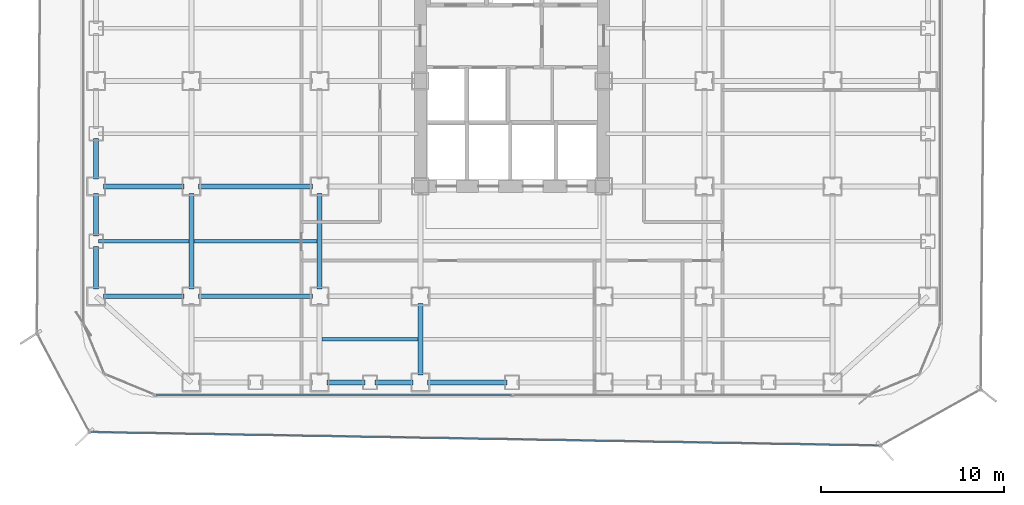
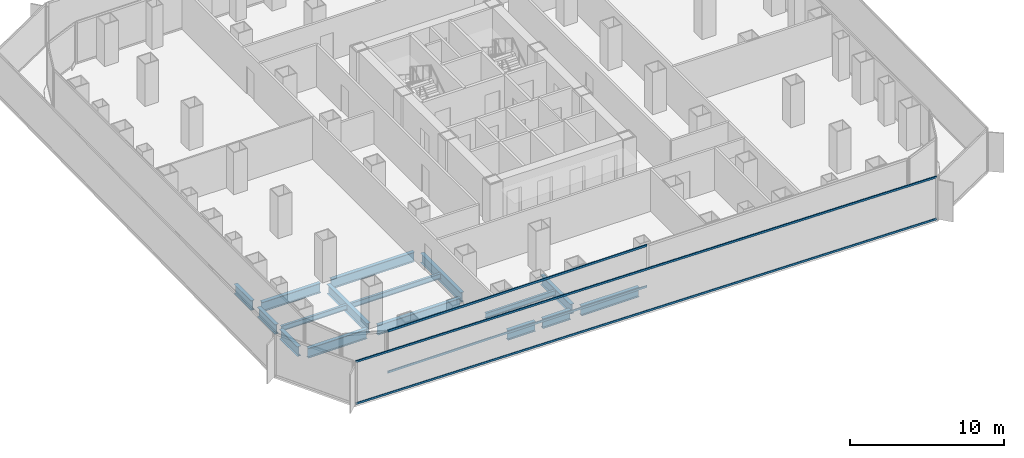
# One storey, part 3 of 21: 16 beams, 4 members, 2 elements without a shape of their own.
"""IFC4 building model written with IfcOpenShell, lengths in metres."""

from ifc_helpers import new_model, si_unit, direction, frame, origin, origin_2d, place, context, subcontext, project, spatial, hollow_rectangle, i_section, extrude, source, transform, mapped, material, layer, layer_set, material_profile, profile_set, type_object, element, aggregate, save


model = new_model("IFC4")

# Units and contexts
model_context = context("Model", 3, precision=1e-05, world=origin(), true_north=direction((0.0, 1.0)))
body_context = subcontext(model_context, "Body", "Model", "MODEL_VIEW")
ifc_project = project(units=[si_unit("LENGTHUNIT", "METRE"), si_unit("AREAUNIT", "SQUARE_METRE"), si_unit("VOLUMEUNIT", "CUBIC_METRE"), si_unit("PLANEANGLEUNIT", "RADIAN"), si_unit("MASSUNIT", "GRAM", prefix="KILO")], contexts=[model_context])

# Site, building, storey
site_placement = place(None, origin())
site = spatial("IfcSite", under=ifc_project, at=site_placement, CompositionType="ELEMENT")
building_placement = place(site_placement, origin())
building = spatial("IfcBuilding", under=site, at=building_placement, Name="Kolveth Station Tower", CompositionType="ELEMENT")
storey_placement = place(building_placement, frame((0.0, 0.0, 58.5)))
storey = spatial("IfcBuildingStorey", under=building, at=storey_placement, Name="L15", CompositionType="ELEMENT", Elevation=58.5)

# Beams
ifc_material_1 = material(Name="Steel S355", Category="steel")
ifc_material_profile_1 = material_profile(ifc_material_1, i_section(OverallWidth=0.26904296875, OverallDepth=0.77490234375, WebThickness=0.01708984375, FlangeThickness=0.0283203125, at=origin_2d()), Name="W760x220")
ifc_profile_set_1 = profile_set([ifc_material_profile_1], Name="Steel S355")
beam_type_1 = type_object("IfcBeamType", Name="Beam_SP1", PredefinedType="SPANDREL", material=ifc_profile_set_1)
shared_shape_1 = source(origin(), body_context, "Body", "SweptSolid", [
    extrude(i_section(OverallWidth=0.26904296875, OverallDepth=0.77490234375, WebThickness=0.01708984375, FlangeThickness=0.0283203125, at=origin_2d()), origin(), (0.0, 0.0, 1.0), 2.070068359375),
])
for number, where, z_axis, x_axis, name in (
    (1, (13.39990234375, 0.800048828125, -0.66748046875), (1.0, 0.0, 0.0), (0.0, 1.0, 0.0), "L15 Perimeter Spandrel BM-L15-PS-3"),
    (2, (16.030029296875, 0.800048828125, -0.66748046875), (1.0, 0.0, 0.0), (0.0, 1.0, 0.0), "L15 Perimeter Spandrel BM-L15-PS-4"),
):
    element("IfcBeam", number, at=place(storey_placement, frame(where, z_axis=z_axis, x_axis=x_axis)), inside=storey, type_object=beam_type_1, Name=name, PredefinedType="SPANDREL", context=body_context, shape_type="MappedRepresentation", body=[
        mapped(shared_shape_1, transform((0.0, 0.0, 0.0), x_axis=(1.0, 0.0, 0.0), y_axis=(0.0, 1.0, 0.0), z_axis=(0.0, 0.0, 1.0), scale=1.0)),
    ])
shared_shape_2 = source(origin(), body_context, "Body", "SweptSolid", [
    extrude(i_section(OverallWidth=0.26904296875, OverallDepth=0.77490234375, WebThickness=0.01708984375, FlangeThickness=0.0283203125, at=origin_2d()), origin(), (0.0, 0.0, 1.0), 4.320068359375),
])
beam_1_placement = place(storey_placement, frame((18.89990234375, 0.800048828125, -0.66748046875), z_axis=(1.0, 0.0, 0.0), x_axis=(0.0, 1.0, 0.0)))
element("IfcBeam", 3, at=beam_1_placement, inside=storey, type_object=beam_type_1, Name="L15 Perimeter Spandrel BM-L15-PS-5", PredefinedType="SPANDREL", context=body_context, shape_type="MappedRepresentation", body=[
    mapped(shared_shape_2, transform((0.0, 0.0, 0.0), x_axis=(1.0, 0.0, 0.0), y_axis=(0.0, 1.0, 0.0), z_axis=(0.0, 0.0, 1.0), scale=1.0)),
])
shared_shape_3 = source(origin(), body_context, "Body", "SweptSolid", [
    extrude(i_section(OverallWidth=0.26904296875, OverallDepth=0.77490234375, WebThickness=0.01708984375, FlangeThickness=0.0283203125, at=origin_2d()), origin(), (0.0, 0.0, 1.0), 2.320068359375),
])
for number, where, z_axis, x_axis, name in (
    (4, (0.800048828125, 5.89990234375, -0.66748046875), (0.0, 1.0, 0.0), (-1.0, 0.0, 0.0), "L15 Perimeter Spandrel BM-L15-PW-1"),
    (5, (0.800048828125, 8.780029296875, -0.66748046875), (0.0, 1.0, 0.0), (-1.0, 0.0, 0.0), "L15 Perimeter Spandrel BM-L15-PW-2"),
):
    element("IfcBeam", number, at=place(storey_placement, frame(where, z_axis=z_axis, x_axis=x_axis)), inside=storey, type_object=beam_type_1, Name=name, PredefinedType="SPANDREL", context=body_context, shape_type="MappedRepresentation", body=[
        mapped(shared_shape_3, transform((0.0, 0.0, 0.0), x_axis=(1.0, 0.0, 0.0), y_axis=(0.0, 1.0, 0.0), z_axis=(0.0, 0.0, 1.0), scale=1.0)),
    ])
shared_shape_4 = source(origin(), body_context, "Body", "SweptSolid", [
    extrude(i_section(OverallWidth=0.26904296875, OverallDepth=0.77490234375, WebThickness=0.01708984375, FlangeThickness=0.0283203125, at=origin_2d()), origin(), (0.0, 0.0, 1.0), 2.2001953125),
])
beam_2_placement = place(storey_placement, frame((0.800048828125, 11.89990234375, -0.66748046875), z_axis=(0.0, 1.0, 0.0), x_axis=(-1.0, 0.0, 0.0)))
element("IfcBeam", 6, at=beam_2_placement, inside=storey, type_object=beam_type_1, Name="L15 Perimeter Spandrel BM-L15-PW-3", PredefinedType="SPANDREL", context=body_context, shape_type="MappedRepresentation", body=[
    mapped(shared_shape_4, transform((0.0, 0.0, 0.0), x_axis=(1.0, 0.0, 0.0), y_axis=(0.0, 1.0, 0.0), z_axis=(0.0, 0.0, 1.0), scale=1.0)),
])
ifc_material_profile_2 = material_profile(ifc_material_1, i_section(OverallWidth=0.26708984375, OverallDepth=0.76611328125, WebThickness=0.014892578125, FlangeThickness=0.023681640625, at=origin_2d()), Name="W760x185")
ifc_profile_set_2 = profile_set([ifc_material_profile_2], Name="Steel S355")
beam_type_2 = type_object("IfcBeamType", Name="Beam_B3", PredefinedType="BEAM", material=ifc_profile_set_2)
shared_shape_5 = source(origin(), body_context, "Body", "SweptSolid", [
    extrude(i_section(OverallWidth=0.26708984375, OverallDepth=0.76611328125, WebThickness=0.014892578125, FlangeThickness=0.023681640625, at=origin_2d()), origin(), (0.0, 0.0, 1.0), 4.400146484375),
])
for number, where, z_axis, x_axis, name in (
    (7, (1.199951171875, 5.5, -0.6630859375), (1.0, 0.0, 0.0), (0.0, 1.0, 0.0), "L15 Primary Girder BM-L15-GY55-1"),
    (8, (1.199951171875, 11.5, -0.6630859375), (1.0, 0.0, 0.0), (0.0, 1.0, 0.0), "L15 Primary Girder BM-L15-GY115-1"),
):
    element("IfcBeam", number, at=place(storey_placement, frame(where, z_axis=z_axis, x_axis=x_axis)), inside=storey, type_object=beam_type_2, Name=name, PredefinedType="BEAM", context=body_context, shape_type="MappedRepresentation", body=[
        mapped(shared_shape_5, transform((0.0, 0.0, 0.0), x_axis=(1.0, 0.0, 0.0), y_axis=(0.0, 1.0, 0.0), z_axis=(0.0, 0.0, 1.0), scale=1.0)),
    ])
shared_shape_6 = source(origin(), body_context, "Body", "SweptSolid", [
    extrude(i_section(OverallWidth=0.26708984375, OverallDepth=0.76611328125, WebThickness=0.014892578125, FlangeThickness=0.023681640625, at=origin_2d()), origin(), (0.0, 0.0, 1.0), 6.2001953125),
])
for number, where, z_axis, x_axis, name in (
    (9, (6.39990234375, 5.5, -0.6630859375), (1.0, 0.0, 0.0), (0.0, 1.0, 0.0), "L15 Primary Girder BM-L15-GY55-2"),
    (10, (6.39990234375, 11.5, -0.6630859375), (1.0, 0.0, 0.0), (0.0, 1.0, 0.0), "L15 Primary Girder BM-L15-GY115-2"),
):
    element("IfcBeam", number, at=place(storey_placement, frame(where, z_axis=z_axis, x_axis=x_axis)), inside=storey, type_object=beam_type_2, Name=name, PredefinedType="BEAM", context=body_context, shape_type="MappedRepresentation", body=[
        mapped(shared_shape_6, transform((0.0, 0.0, 0.0), x_axis=(1.0, 0.0, 0.0), y_axis=(0.0, 1.0, 0.0), z_axis=(0.0, 0.0, 1.0), scale=1.0)),
    ])
shared_shape_7 = source(origin(), body_context, "Body", "SweptSolid", [
    extrude(i_section(OverallWidth=0.26708984375, OverallDepth=0.76611328125, WebThickness=0.014892578125, FlangeThickness=0.023681640625, at=origin_2d()), origin(), (0.0, 0.0, 1.0), 3.900146484375),
])
beam_3_placement = place(storey_placement, frame((18.5, 1.199951171875, -0.6630859375), z_axis=(0.0, 1.0, 0.0), x_axis=(-1.0, 0.0, 0.0)))
element("IfcBeam", 11, at=beam_3_placement, inside=storey, type_object=beam_type_2, Name="L15 Primary Girder BM-L15-GX185-1", PredefinedType="BEAM", context=body_context, shape_type="MappedRepresentation", body=[
    mapped(shared_shape_7, transform((0.0, 0.0, 0.0), x_axis=(1.0, 0.0, 0.0), y_axis=(0.0, 1.0, 0.0), z_axis=(0.0, 0.0, 1.0), scale=1.0)),
])
shared_shape_8 = source(origin(), body_context, "Body", "SweptSolid", [
    extrude(i_section(OverallWidth=0.26708984375, OverallDepth=0.76611328125, WebThickness=0.014892578125, FlangeThickness=0.023681640625, at=origin_2d()), origin(), (0.0, 0.0, 1.0), 5.2001953125),
])
for number, where, z_axis, x_axis, name in (
    (12, (6.0, 5.89990234375, -0.6630859375), (0.0, 1.0, 0.0), (-1.0, 0.0, 0.0), "L15 Primary Girder BM-L15-GX60-2"),
    (13, (13.0, 5.89990234375, -0.6630859375), (0.0, 1.0, 0.0), (-1.0, 0.0, 0.0), "L15 Primary Girder BM-L15-GX130-2"),
):
    element("IfcBeam", number, at=place(storey_placement, frame(where, z_axis=z_axis, x_axis=x_axis)), inside=storey, type_object=beam_type_2, Name=name, PredefinedType="BEAM", context=body_context, shape_type="MappedRepresentation", body=[
        mapped(shared_shape_8, transform((0.0, 0.0, 0.0), x_axis=(1.0, 0.0, 0.0), y_axis=(0.0, 1.0, 0.0), z_axis=(0.0, 0.0, 1.0), scale=1.0)),
    ])
ifc_material_profile_3 = material_profile(ifc_material_1, i_section(OverallWidth=0.177978515625, OverallDepth=0.406982421875, WebThickness=0.0078125, FlangeThickness=0.0126953125, at=origin_2d()), Name="W410x60")
ifc_profile_set_3 = profile_set([ifc_material_profile_3], Name="Steel S355")
beam_type_3 = type_object("IfcBeamType", Name="Beam_J1", PredefinedType="JOIST", material=ifc_profile_set_3)
shared_shape_9 = source(origin(), body_context, "Body", "SweptSolid", [
    extrude(i_section(OverallWidth=0.177978515625, OverallDepth=0.406982421875, WebThickness=0.0078125, FlangeThickness=0.0126953125, at=origin_2d()), origin(), (0.0, 0.0, 1.0), 4.935791015625),
])
beam_4_placement = place(storey_placement, frame((0.9326171875, 8.5, -0.4833984375), z_axis=(1.0, 0.0, 0.0), x_axis=(0.0, 1.0, 0.0)))
element("IfcBeam", 14, at=beam_4_placement, inside=storey, type_object=beam_type_3, Name="L15 Secondary Joist JST-L15-1-2", PredefinedType="JOIST", context=body_context, shape_type="MappedRepresentation", body=[
    mapped(shared_shape_9, transform((0.0, 0.0, 0.0), x_axis=(1.0, 0.0, 0.0), y_axis=(0.0, 1.0, 0.0), z_axis=(0.0, 0.0, 1.0), scale=1.0)),
])
shared_shape_10 = source(origin(), body_context, "Body", "SweptSolid", [
    extrude(i_section(OverallWidth=0.177978515625, OverallDepth=0.406982421875, WebThickness=0.0078125, FlangeThickness=0.0126953125, at=origin_2d()), origin(), (0.0, 0.0, 1.0), 6.73681640625),
])
beam_5_placement = place(storey_placement, frame((6.131591796875, 8.5, -0.4833984375), z_axis=(1.0, 0.0, 0.0), x_axis=(0.0, 1.0, 0.0)))
element("IfcBeam", 15, at=beam_5_placement, inside=storey, type_object=beam_type_3, Name="L15 Secondary Joist JST-L15-2-2", PredefinedType="JOIST", context=body_context, shape_type="MappedRepresentation", body=[
    mapped(shared_shape_10, transform((0.0, 0.0, 0.0), x_axis=(1.0, 0.0, 0.0), y_axis=(0.0, 1.0, 0.0), z_axis=(0.0, 0.0, 1.0), scale=1.0)),
])
shared_shape_11 = source(origin(), body_context, "Body", "SweptSolid", [
    extrude(i_section(OverallWidth=0.177978515625, OverallDepth=0.406982421875, WebThickness=0.0078125, FlangeThickness=0.0126953125, at=origin_2d()), origin(), (0.0, 0.0, 1.0), 5.23681640625),
])
beam_6_placement = place(storey_placement, frame((13.131591796875, 3.14990234375, -0.4833984375), z_axis=(1.0, 0.0, 0.0), x_axis=(0.0, 1.0, 0.0)))
element("IfcBeam", 16, at=beam_6_placement, inside=storey, type_object=beam_type_3, Name="L15 Secondary Joist JST-L15-3-1", PredefinedType="JOIST", context=body_context, shape_type="MappedRepresentation", body=[
    mapped(shared_shape_11, transform((0.0, 0.0, 0.0), x_axis=(1.0, 0.0, 0.0), y_axis=(0.0, 1.0, 0.0), z_axis=(0.0, 0.0, 1.0), scale=1.0)),
])

# Curtain wall, members
ifc_material_2 = material(Name="Aluminium 6063-T6 and low-E dark glass", Category="aluminium")
ifc_layer_1 = layer(ifc_material_2, 0.179931640625)
ifc_layer_set_1 = layer_set([ifc_layer_1], Name="Aluminium 6063-T6 and low-E dark glass")
curtain_wall_type_1 = type_object("IfcCurtainWallType", Name="CurtainWall_CW-Z1", PredefinedType="NOTDEFINED", material=ifc_layer_set_1)
curtain_wall_1_placement = place(storey_placement, origin())
curtain_wall_1 = element("IfcCurtainWall", 17, at=curtain_wall_1_placement, inside=storey, type_object=curtain_wall_type_1, Name="L15 Inner Thermal Curtain Wall 12", PredefinedType="NOTDEFINED")
ifc_material_3 = material(Name="Black anodized aluminium 6063-T6", Category="aluminium")
ifc_material_profile_4 = material_profile(ifc_material_3, hollow_rectangle(XDim=0.074951171875, YDim=0.159912109375, WallThickness=0.0048828125, at=origin_2d()), Name="ALU-75x160x5")
ifc_profile_set_4 = profile_set([ifc_material_profile_4], Name="Black anodized aluminium 6063-T6")
member_type_1 = type_object("IfcMemberType", Name="Transom_TR1", PredefinedType="USERDEFINED", material=ifc_profile_set_4)
shared_shape_12 = source(origin(), body_context, "Body", "SweptSolid", [
    extrude(hollow_rectangle(XDim=0.074951171875, YDim=0.159912109375, WallThickness=0.0048828125, at=origin_2d()), origin(), (0.0, 0.0, 1.0), 19.387451171875),
])
member_1_placement = place(storey_placement, frame((4.074951171875, 0.1201171875, 0.03759765625), z_axis=(1.0, 0.0, 0.0), x_axis=(0.0, 1.0, 0.0)))
member_1 = element("IfcMember", 18, at=member_1_placement, type_object=member_type_1, Name="CW-Z1 transom 1.1", ObjectType="TRANSOM", PredefinedType="USERDEFINED", context=body_context, shape_type="MappedRepresentation", body=[
    mapped(shared_shape_12, transform((0.0, 0.0, 0.0), x_axis=(1.0, 0.0, 0.0), y_axis=(0.0, 1.0, 0.0), z_axis=(0.0, 0.0, 1.0), scale=1.0)),
])
member_2_placement = place(storey_placement, frame((4.074951171875, 0.1201171875, 3.282470703125), z_axis=(1.0, 0.0, 0.0), x_axis=(0.0, 1.0, 0.0)))
member_2 = element("IfcMember", 19, at=member_2_placement, type_object=member_type_1, Name="CW-Z1 transom 1.2", ObjectType="TRANSOM", PredefinedType="USERDEFINED", context=body_context, shape_type="MappedRepresentation", body=[
    mapped(shared_shape_12, transform((0.0, 0.0, 0.0), x_axis=(1.0, 0.0, 0.0), y_axis=(0.0, 1.0, 0.0), z_axis=(0.0, 0.0, 1.0), scale=1.0)),
])
aggregate(curtain_wall_1, [member_1, member_2])

ifc_material_4 = material(Name="Black anodized aluminium 6063-T6 and dark solar glass", Category="aluminium")
ifc_layer_2 = layer(ifc_material_4, 0.159912109375)
ifc_layer_set_2 = layer_set([ifc_layer_2], Name="Black anodized aluminium 6063-T6 and dark solar glass")
curtain_wall_type_2 = type_object("IfcCurtainWallType", Name="OUTER SKIN CW-OS", PredefinedType="NOTDEFINED", material=ifc_layer_set_2)
curtain_wall_2_placement = place(storey_placement, origin())
curtain_wall_2 = element("IfcCurtainWall", 20, at=curtain_wall_2_placement, inside=storey, type_object=curtain_wall_type_2, Name="L15 Outer Ventilated Skin Curtain Wall 8", PredefinedType="NOTDEFINED")
ifc_material_profile_5 = material_profile(ifc_material_3, hollow_rectangle(XDim=0.080078125, YDim=0.14990234375, WallThickness=0.0048828125, at=origin_2d()), Name="ALU-80x150x5")
ifc_profile_set_5 = profile_set([ifc_material_profile_5], Name="Black anodized aluminium 6063-T6")
member_type_2 = type_object("IfcMemberType", Name="Transom_TR-OS", PredefinedType="USERDEFINED", material=ifc_profile_set_5)
shared_shape_13 = source(origin(), body_context, "Body", "SweptSolid", [
    extrude(hollow_rectangle(XDim=0.080078125, YDim=0.14990234375, WallThickness=0.0048828125, at=origin_2d()), origin(), (0.0, 0.0, 1.0), 42.98681640625),
])
member_3_placement = place(storey_placement, frame((0.531005859375, -1.91552734375, 0.0400390625), z_axis=(0.999854158993, -0.017078077888, 0.0), x_axis=(0.017078077888, 0.999854158993, 0.0)))
member_3 = element("IfcMember", 21, at=member_3_placement, type_object=member_type_2, Name="CW-OS transom 1.1", ObjectType="TRANSOM", PredefinedType="USERDEFINED", context=body_context, shape_type="MappedRepresentation", body=[
    mapped(shared_shape_13, transform((0.0, 0.0, 0.0), x_axis=(1.0, 0.0, 0.0), y_axis=(0.0, 1.0, 0.0), z_axis=(0.0, 0.0, 1.0), scale=1.0)),
])
member_4_placement = place(storey_placement, frame((0.531005859375, -1.91552734375, 3.35009765625), z_axis=(0.999854158993, -0.017078077888, 0.0), x_axis=(0.017078077888, 0.999854158993, 0.0)))
member_4 = element("IfcMember", 22, at=member_4_placement, type_object=member_type_2, Name="CW-OS transom 1.2", ObjectType="TRANSOM", PredefinedType="USERDEFINED", context=body_context, shape_type="MappedRepresentation", body=[
    mapped(shared_shape_13, transform((0.0, 0.0, 0.0), x_axis=(1.0, 0.0, 0.0), y_axis=(0.0, 1.0, 0.0), z_axis=(0.0, 0.0, 1.0), scale=1.0)),
])
aggregate(curtain_wall_2, [member_3, member_4])

save(model, "model.ifc")
